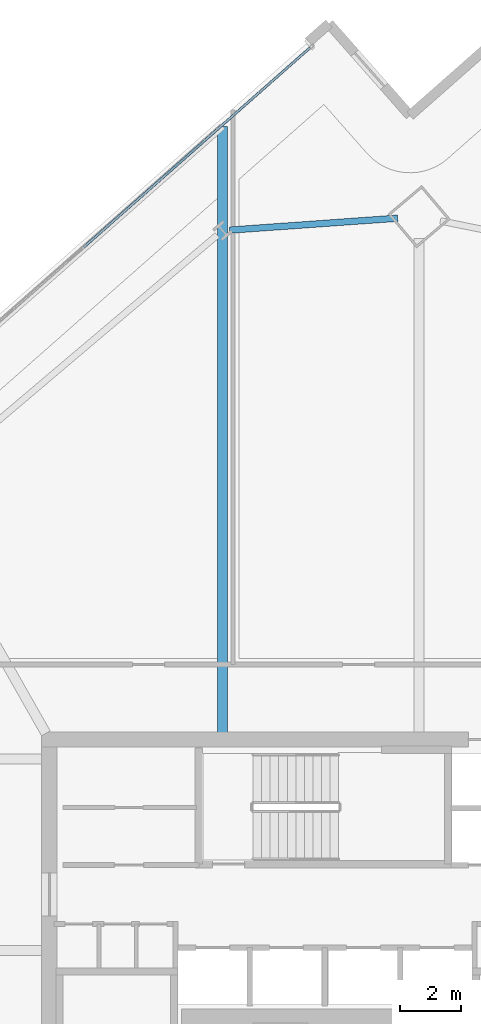
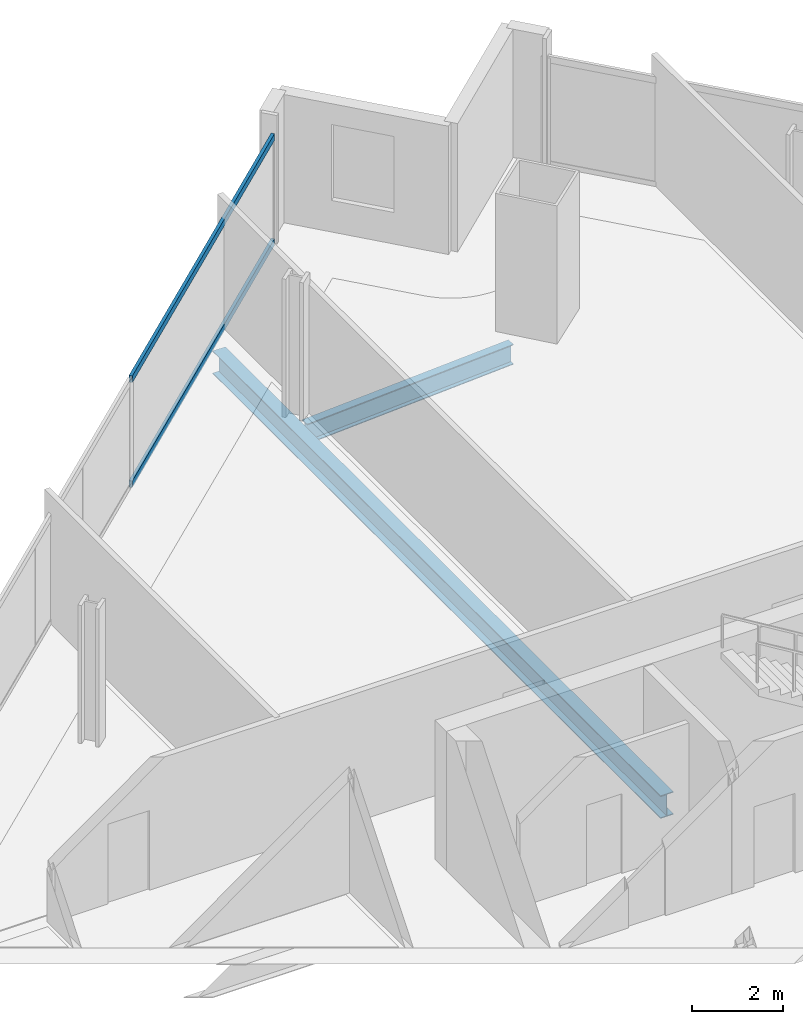
# One storey, part 19 of 34: 2 beams, 2 members, 1 element without a shape of its own.
"""IFC4 building model written with IfcOpenShell, lengths in metres."""

from ifc_helpers import new_model, si_unit, direction, frame, origin, origin_2d, place, context, subcontext, project, spatial, hollow_rectangle, i_section, extrude, material, material_profile, profile_set, type_object, element, aggregate, save


model = new_model("IFC4")

# Units and contexts
model_context = context("Model", 3, precision=1e-05, world=origin(), true_north=direction((0.0, 1.0)))
body_context = subcontext(model_context, "Body", "Model", "MODEL_VIEW")
ifc_project = project(units=[si_unit("LENGTHUNIT", "METRE"), si_unit("AREAUNIT", "SQUARE_METRE"), si_unit("VOLUMEUNIT", "CUBIC_METRE"), si_unit("PLANEANGLEUNIT", "RADIAN"), si_unit("MASSUNIT", "GRAM", prefix="KILO")], contexts=[model_context])

# Site, building, storey
site_placement = place(None, origin())
site = spatial("IfcSite", under=ifc_project, at=site_placement, CompositionType="ELEMENT")
building_placement = place(site_placement, origin())
building = spatial("IfcBuilding", under=site, at=building_placement, Name="Haldenkirk Collegiate Tower", CompositionType="ELEMENT")
storey_placement = place(building_placement, frame((0.0, 0.0, 166.949951171875)))
storey = spatial("IfcBuildingStorey", under=building, at=storey_placement, Name="L41", CompositionType="ELEMENT", Elevation=166.949951171875)

# Beams
ifc_material_1 = material(Name="Steel ASTM A992 Grade 50", Category="steel")
ifc_material_profile_1 = material_profile(ifc_material_1, i_section(OverallWidth=0.324951171875, OverallDepth=0.615966796875, WebThickness=0.013916015625, FlangeThickness=0.021484375, at=origin_2d()), Name="W24X117")
ifc_profile_set_1 = profile_set([ifc_material_profile_1], Name="Steel ASTM A992 Grade 50")
beam_type_1 = type_object("IfcBeamType", Name="BM-GIRDER-W24X117", PredefinedType="BEAM", material=ifc_profile_set_1)
beam_1_placement = place(storey_placement, frame((32.657470703125, 54.02197265625, -0.597900390625), z_axis=(0.0, -1.0, 0.0), x_axis=(1.0, 0.0, 0.0)))
element("IfcBeam", 1, at=beam_1_placement, inside=storey, type_object=beam_type_1, Name="L41 primary floor girder 11", PredefinedType="BEAM", context=body_context, shape_type="SweptSolid", body=[
    extrude(i_section(OverallWidth=0.324951171875, OverallDepth=0.615966796875, WebThickness=0.013916015625, FlangeThickness=0.021484375, at=origin_2d()), origin(), (0.0, 0.0, 1.0), 19.7919921875),
])
ifc_material_profile_2 = material_profile(ifc_material_1, i_section(OverallWidth=0.2119140625, OverallDepth=0.5439453125, WebThickness=0.01318359375, FlangeThickness=0.021240234375, at=origin_2d()), Name="W21X83")
ifc_profile_set_2 = profile_set([ifc_material_profile_2], Name="Steel ASTM A992 Grade 50")
beam_type_2 = type_object("IfcBeamType", Name="BM-SPANDREL-W21X83", PredefinedType="SPANDREL", material=ifc_profile_set_2)
beam_2_placement = place(storey_placement, frame((38.373779296875, 51.025146484375, -0.56201171875), z_axis=(-0.997489017738, -0.070821320891, 0.0), x_axis=(0.070821320891, -0.997489017738, 0.0)))
element("IfcBeam", 2, at=beam_2_placement, inside=storey, type_object=beam_type_2, Name="L41 perimeter spandrel beam 09", PredefinedType="SPANDREL", context=body_context, shape_type="SweptSolid", body=[
    extrude(i_section(OverallWidth=0.2119140625, OverallDepth=0.5439453125, WebThickness=0.01318359375, FlangeThickness=0.021240234375, at=origin_2d()), origin(), (0.0, 0.0, 1.0), 5.501953125),
])

# Curtain wall, members
ifc_material_2 = material(Name="Anodised architectural bronze aluminium", Category="aluminium")
curtain_wall_type = type_object("IfcCurtainWallType", Name="CW-SYS1-CONVEX-LOW", PredefinedType="USERDEFINED", material=ifc_material_2)
curtain_wall_placement = place(storey_placement, origin())
curtain_wall = element("IfcCurtainWall", 3, at=curtain_wall_placement, inside=storey, type_object=curtain_wall_type, Name="L41 Lower tower convex bronze-framed unitised curtain wall", ObjectType="UNITISED CURTAIN WALL", PredefinedType="USERDEFINED")
ifc_material_profile_3 = material_profile(ifc_material_2, hollow_rectangle(XDim=0.080078125, YDim=0.179931640625, WallThickness=0.0048828125, at=origin_2d()), Name="CW-TRN-1A")
ifc_profile_set_3 = profile_set([ifc_material_profile_3], Name="Anodised architectural bronze aluminium")
member_type = type_object("IfcMemberType", Name="CW-TRN-1A", PredefinedType="USERDEFINED", material=ifc_profile_set_3)
member_1_placement = place(storey_placement, frame((28.12353515625, 50.078125, 0.0400390625), z_axis=(0.750105285937, 0.661318425578, 0.0), x_axis=(-0.661318425578, 0.750105285937, 0.0)))
member_1 = element("IfcMember", 4, at=member_1_placement, type_object=member_type, Name="CW-1A transom 4.1", ObjectType="TRANSOM", PredefinedType="USERDEFINED", context=body_context, shape_type="SweptSolid", body=[
    extrude(hollow_rectangle(XDim=0.080078125, YDim=0.179931640625, WallThickness=0.0048828125, at=origin_2d()), origin(), (0.0, 0.0, 1.0), 9.85498046875),
])
member_2_placement = place(storey_placement, frame((28.12353515625, 50.078125, 2.87109375), z_axis=(0.750105285937, 0.661318425578, 0.0), x_axis=(-0.661318425578, 0.750105285937, 0.0)))
member_2 = element("IfcMember", 5, at=member_2_placement, type_object=member_type, Name="CW-1A transom 4.2", ObjectType="TRANSOM", PredefinedType="USERDEFINED", context=body_context, shape_type="SweptSolid", body=[
    extrude(hollow_rectangle(XDim=0.080078125, YDim=0.179931640625, WallThickness=0.0048828125, at=origin_2d()), origin(), (0.0, 0.0, 1.0), 9.85498046875),
])
aggregate(curtain_wall, [member_1, member_2])

save(model, "model.ifc")
